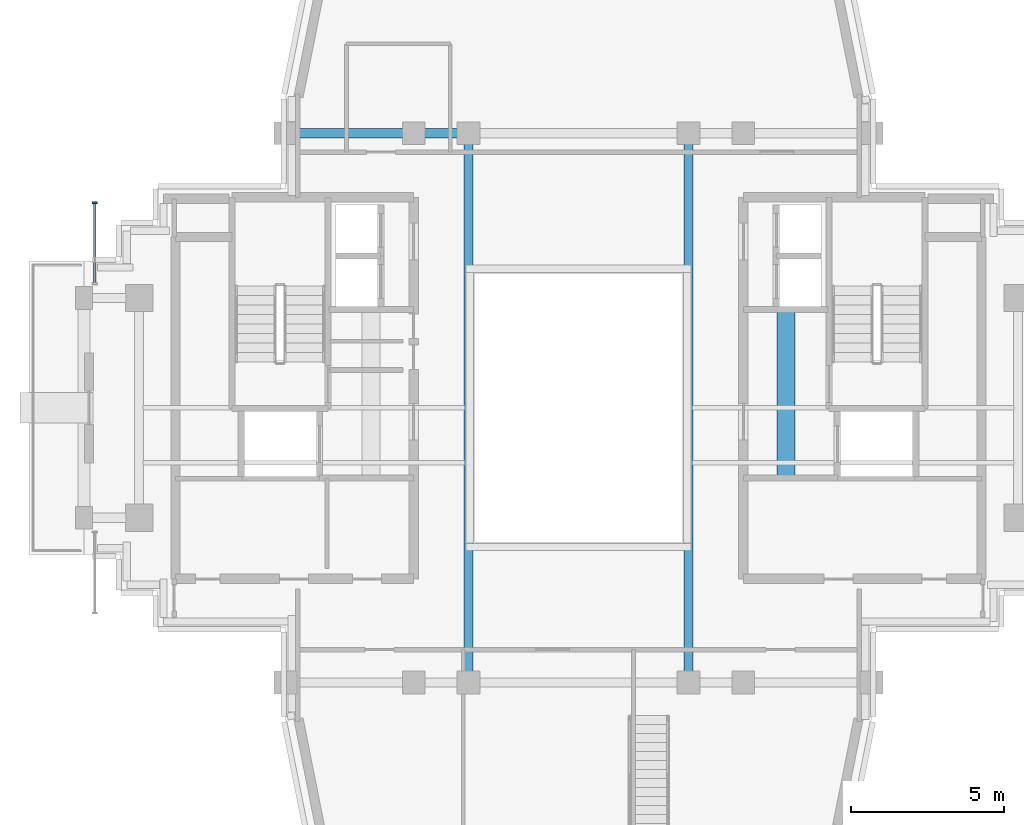
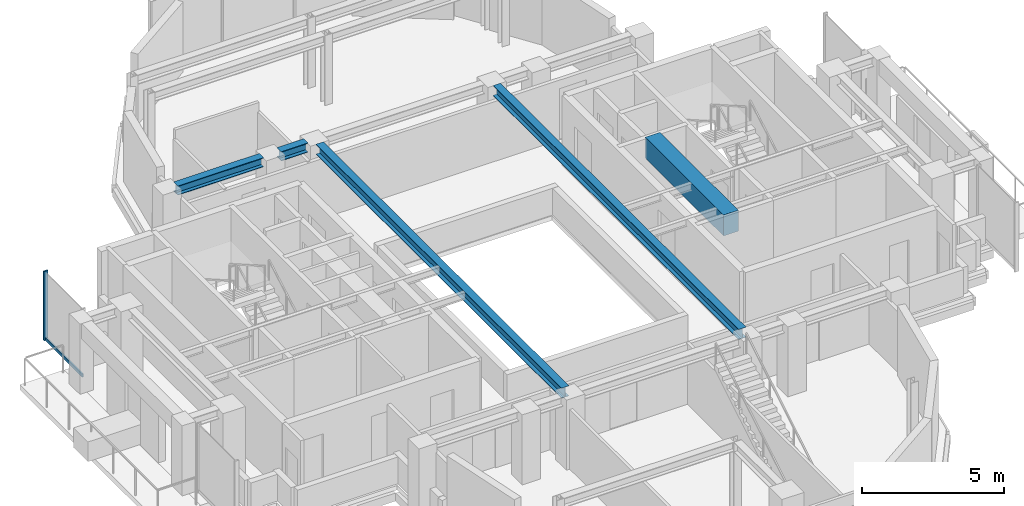
# One storey, part 4 of 12: 5 beams, 2 members, 1 element without a shape of its own.
"""IFC4 building model written with IfcOpenShell, lengths in metres."""

from ifc_helpers import new_model, si_unit, direction, frame, origin, origin_2d, place, context, subcontext, project, spatial, rectangle, i_section, extrude, source, transform, mapped, material, material_profile, profile_set, type_object, element, aggregate, save


model = new_model("IFC4")

# Units and contexts
model_context = context("Model", 3, precision=1e-05, world=origin(), true_north=direction((0.0, 1.0)))
body_context = subcontext(model_context, "Body", "Model", "MODEL_VIEW")
ifc_project = project(units=[si_unit("LENGTHUNIT", "METRE"), si_unit("AREAUNIT", "SQUARE_METRE"), si_unit("VOLUMEUNIT", "CUBIC_METRE"), si_unit("PLANEANGLEUNIT", "RADIAN"), si_unit("MASSUNIT", "GRAM", prefix="KILO")], contexts=[model_context])

# Site, building, storey
site_placement = place(None, origin())
site = spatial("IfcSite", under=ifc_project, at=site_placement, CompositionType="ELEMENT")
building_placement = place(site_placement, origin())
building = spatial("IfcBuilding", under=site, at=building_placement, Name="Keilestroom Media Tower", CompositionType="ELEMENT")
storey_placement = place(building_placement, frame((0.0, 0.0, 252.39990234375)))
storey = spatial("IfcBuildingStorey", under=building, at=storey_placement, Name="L70", CompositionType="ELEMENT", Elevation=252.39990234375)

# Beams
ifc_material_1 = material(Name="Concrete C70/85", Category="concrete")
ifc_material_profile_1 = material_profile(ifc_material_1, rectangle(XDim=0.60009765625, YDim=0.89990234375, at=origin_2d()), Name="RC 600x900")
ifc_profile_set_1 = profile_set([ifc_material_profile_1], Name="Concrete C70/85")
beam_type_1 = type_object("IfcBeamType", Name="Core-Coupling-Lintel-Beam-RC-600x900", PredefinedType="LINTEL", material=ifc_profile_set_1)
shared_shape_1 = source(origin(), body_context, "Body", "SweptSolid", [
    extrude(rectangle(XDim=0.60009765625, YDim=0.89990234375, at=origin_2d()), origin(), (0.0, 0.0, 1.0), 5.52001953125),
])
beam_1_placement = place(storey_placement, frame((6.800048828125, -2.300048828125, 2.56005859375), z_axis=(0.0, 1.0, 0.0), x_axis=(-1.0, 0.0, 0.0)))
element("IfcBeam", 1, at=beam_1_placement, inside=storey, type_object=beam_type_1, Name="L70 Beam CLB-1 CLB-L70-E", PredefinedType="LINTEL", context=body_context, shape_type="MappedRepresentation", body=[
    mapped(shared_shape_1, transform((0.0, 0.0, 0.0), x_axis=(1.0, 0.0, 0.0), y_axis=(0.0, 1.0, 0.0), z_axis=(0.0, 0.0, 1.0), scale=1.0)),
])
ifc_material_2 = material(Name="Steel S355", Category="steel")
ifc_material_profile_2 = material_profile(ifc_material_2, i_section(OverallWidth=0.300048828125, OverallDepth=0.39990234375, WebThickness=0.011474609375, FlangeThickness=0.02392578125, at=origin_2d()), Name="HEB 400")
ifc_profile_set_2 = profile_set([ifc_material_profile_2], Name="Steel S355")
beam_type_2 = type_object("IfcBeamType", Name="Primary-Structural-Girder-HEB-400", PredefinedType="BEAM", material=ifc_profile_set_2)
shared_shape_2 = source(origin(), body_context, "Body", "SweptSolid", [
    extrude(i_section(OverallWidth=0.300048828125, OverallDepth=0.39990234375, WebThickness=0.011474609375, FlangeThickness=0.02392578125, at=origin_2d()), origin(), (0.0, 0.0, 1.0), 3.490234375),
])
beam_2_placement = place(storey_placement, frame((-9.2451171875, 9.0, 2.81005859375), z_axis=(1.0, 0.0, 0.0), x_axis=(0.0, 1.0, 0.0)))
element("IfcBeam", 2, at=beam_2_placement, inside=storey, type_object=beam_type_2, Name="L70 Beam BG-8 BM-L70-EW-012", PredefinedType="BEAM", context=body_context, shape_type="MappedRepresentation", body=[
    mapped(shared_shape_2, transform((0.0, 0.0, 0.0), x_axis=(1.0, 0.0, 0.0), y_axis=(0.0, 1.0, 0.0), z_axis=(0.0, 0.0, 1.0), scale=1.0)),
])
shared_shape_3 = source(origin(), body_context, "Body", "SweptSolid", [
    extrude(i_section(OverallWidth=0.300048828125, OverallDepth=0.39990234375, WebThickness=0.011474609375, FlangeThickness=0.02392578125, at=origin_2d()), origin(), (0.0, 0.0, 1.0), 1.08984375),
])
beam_3_placement = place(storey_placement, frame((-5.044921875, 9.0, 2.81005859375), z_axis=(1.0, 0.0, 0.0), x_axis=(0.0, 1.0, 0.0)))
element("IfcBeam", 3, at=beam_3_placement, inside=storey, type_object=beam_type_2, Name="L70 Beam BG-8 BM-L70-EW-013", PredefinedType="BEAM", context=body_context, shape_type="MappedRepresentation", body=[
    mapped(shared_shape_3, transform((0.0, 0.0, 0.0), x_axis=(1.0, 0.0, 0.0), y_axis=(0.0, 1.0, 0.0), z_axis=(0.0, 0.0, 1.0), scale=1.0)),
])
ifc_material_profile_3 = material_profile(ifc_material_2, i_section(OverallWidth=0.300048828125, OverallDepth=0.43994140625, WebThickness=0.011474609375, FlangeThickness=0.02099609375, at=origin_2d()), Name="HEA 450")
ifc_profile_set_3 = profile_set([ifc_material_profile_3], Name="Steel S355")
beam_type_3 = type_object("IfcBeamType", Name="Primary-Structural-Girder-HEA-450", PredefinedType="BEAM", material=ifc_profile_set_3)
shared_shape_4 = source(origin(), body_context, "Body", "SweptSolid", [
    extrude(i_section(OverallWidth=0.300048828125, OverallDepth=0.43994140625, WebThickness=0.011474609375, FlangeThickness=0.02099609375, at=origin_2d()), origin(), (0.0, 0.0, 1.0), 17.2900390625),
])
for number, where, z_axis, x_axis, name in (
    (4, (-3.60009765625, -8.64501953125, 2.7900390625), (0.0, 1.0, 0.0), (-1.0, 0.0, 0.0), "L70 Beam BG-11 BM-L70-NS-026"),
    (5, (3.60009765625, -8.64501953125, 2.7900390625), (0.0, 1.0, 0.0), (-1.0, 0.0, 0.0), "L70 Beam BG-11 BM-L70-NS-029"),
):
    element("IfcBeam", number, at=place(storey_placement, frame(where, z_axis=z_axis, x_axis=x_axis)), inside=storey, type_object=beam_type_3, Name=name, PredefinedType="BEAM", context=body_context, shape_type="MappedRepresentation", body=[
        mapped(shared_shape_4, transform((0.0, 0.0, 0.0), x_axis=(1.0, 0.0, 0.0), y_axis=(0.0, 1.0, 0.0), z_axis=(0.0, 0.0, 1.0), scale=1.0)),
    ])

# Curtain wall, members
ifc_material_3 = material(Name="Anodised Aluminium Alloy", Category="aluminium")
curtain_wall_type = type_object("IfcCurtainWallType", Name="Unitised-Curtain-Wall-CW-4", PredefinedType="NOTDEFINED", material=ifc_material_3)
curtain_wall_placement = place(storey_placement, origin())
curtain_wall = element("IfcCurtainWall", 6, at=curtain_wall_placement, inside=storey, type_object=curtain_wall_type, Name="L70 Curtain Wall CW-4 CW-L70-W-2", PredefinedType="NOTDEFINED")
ifc_material_profile_4 = material_profile(ifc_material_3, rectangle(XDim=0.06005859375, YDim=0.159912109375, at=origin_2d()), Name="ALU MULLION 60x160")
ifc_profile_set_4 = profile_set([ifc_material_profile_4], Name="Anodised Aluminium Alloy")
member_type_1 = type_object("IfcMemberType", Name="Curtain-Wall-Mullion-CW-4", PredefinedType="MULLION", material=ifc_profile_set_4)
shared_shape_5 = source(origin(), body_context, "Body", "SweptSolid", [
    extrude(rectangle(XDim=0.06005859375, YDim=0.159912109375, at=origin_2d()), origin(), (0.0, 0.0, 1.0), 2.97998046875),
])
member_1_placement = place(storey_placement, frame((-15.85009765625, 6.719970703125, 0.0), z_axis=(0.0, 0.0, 1.0), x_axis=(0.0, 1.0, 0.0)))
member_1 = element("IfcMember", 7, at=member_1_placement, type_object=member_type_1, Name="CW-4 Mullion 01", PredefinedType="MULLION", context=body_context, shape_type="MappedRepresentation", body=[
    mapped(shared_shape_5, transform((0.0, 0.0, 0.0), x_axis=(1.0, 0.0, 0.0), y_axis=(0.0, 1.0, 0.0), z_axis=(0.0, 0.0, 1.0), scale=1.0)),
])
ifc_material_profile_5 = material_profile(ifc_material_3, rectangle(XDim=0.06005859375, YDim=0.1298828125, at=origin_2d()), Name="ALU TRANSOM 60x130")
ifc_profile_set_5 = profile_set([ifc_material_profile_5], Name="Anodised Aluminium Alloy")
member_type_2 = type_object("IfcMemberType", Name="Curtain-Wall-Transom-CW-4", PredefinedType="USERDEFINED", material=ifc_profile_set_5)
shared_shape_6 = source(origin(), body_context, "Body", "SweptSolid", [
    extrude(rectangle(XDim=0.06005859375, YDim=0.1298828125, at=origin_2d()), origin(), (0.0, 0.0, 1.0), 2.598876953125),
])
member_2_placement = place(storey_placement, frame((-15.85009765625, 4.093017578125, 0.065185546875), z_axis=(0.0, 1.0, 0.0), x_axis=(-1.0, 0.0, 0.0)))
member_2 = element("IfcMember", 8, at=member_2_placement, type_object=member_type_2, Name="CW-4 Transom 00.1", ObjectType="TRANSOM", PredefinedType="USERDEFINED", context=body_context, shape_type="MappedRepresentation", body=[
    mapped(shared_shape_6, transform((0.0, 0.0, 0.0), x_axis=(1.0, 0.0, 0.0), y_axis=(0.0, 1.0, 0.0), z_axis=(0.0, 0.0, 1.0), scale=1.0)),
])
aggregate(curtain_wall, [member_1, member_2])

save(model, "model.ifc")
